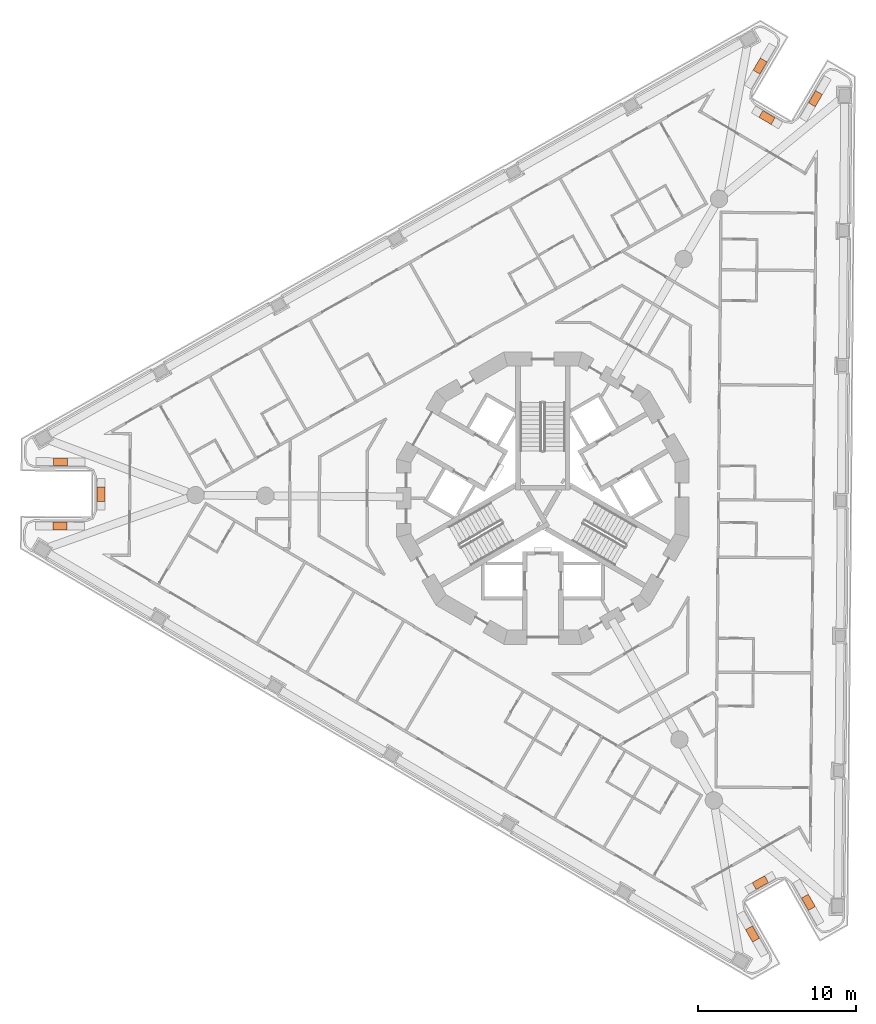
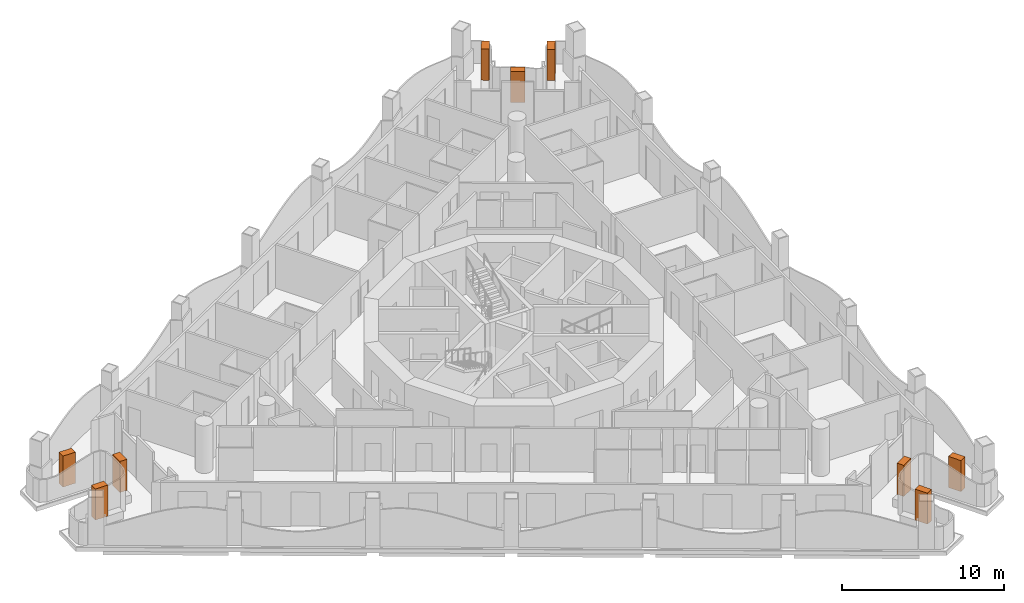
# One storey, part 17 of 17: 9 geographic elements.
"""IFC4 building model written with IfcOpenShell, lengths in metres."""

from ifc_helpers import new_model, si_unit, direction, frame, origin, origin_2d, place, context, subcontext, project, spatial, rectangle, extrude, element, save


model = new_model("IFC4")

# Units and contexts
model_context = context("Model", 3, precision=1e-05, world=origin(), true_north=direction((0.0, 1.0)))
body_context = subcontext(model_context, "Body", "Model", "MODEL_VIEW")
ifc_project = project(units=[si_unit("LENGTHUNIT", "METRE"), si_unit("AREAUNIT", "SQUARE_METRE"), si_unit("VOLUMEUNIT", "CUBIC_METRE"), si_unit("PLANEANGLEUNIT", "RADIAN"), si_unit("MASSUNIT", "GRAM", prefix="KILO")], contexts=[model_context])

# Site, building, storey
site_placement = place(None, origin())
site = spatial("IfcSite", under=ifc_project, at=site_placement, CompositionType="ELEMENT")
building_placement = place(site_placement, origin())
building = spatial("IfcBuilding", under=site, at=building_placement, Name="Trine Commons Tower", CompositionType="ELEMENT")
storey_placement = place(building_placement, frame((0.0, 0.0, 186.300048828125)))
storey = spatial("IfcBuildingStorey", under=building, at=storey_placement, Name="L48", CompositionType="ELEMENT", Elevation=186.300048828125)

# Geographic elements
for number, where, z_axis, x_axis, name in (
    (1, (49.3583984375, 60.727294921875, 0.599853515625), (0.0, 0.0, 1.0), (0.999961923064, -0.008726535498, 0.0), "Tree 1.1"),
    (2, (51.966064453125, 62.74462890625, 0.599853515625), (0.0, 0.0, 1.0), (0.008726535498, 0.999961923064, 0.0), "Tree 2.1"),
    (3, (49.393798828125, 64.80712890625, 0.599853515625), (0.0, 0.0, 1.0), (-0.999961923064, 0.008726535498, 0.0), "Tree 3.1"),
    (4, (93.78564453125, 89.9228515625, 0.599853515625), (0.0, 0.0, 1.0), (-0.507539866787, -0.861628274619, 0.0), "Tree 4.1"),
    (5, (94.228759765625, 86.65576171875, 0.599853515625), (0.0, 0.0, 1.0), (0.861628274619, -0.507539866787, 0.0), "Tree 5.1"),
    (6, (97.301025390625, 87.85205078125, 0.599853515625), (0.0, 0.0, 1.0), (0.507539866787, 0.861628274619, 0.0), "Tree 6.1"),
    (7, (96.85595703125, 36.849853515625, 0.599853515625), (0.0, 0.0, 1.0), (-0.492420521986, 0.870357414817, 0.0), "Tree 7.1"),
    (8, (93.80517578125, 38.099609375, 0.599853515625), (0.0, 0.0, 1.0), (-0.870333349571, -0.492463055085, 0.0), "Tree 8.1"),
    (9, (93.304931640625, 34.8408203125, 0.599853515625), (0.0, 0.0, 1.0), (0.492420521986, -0.870357414817, 0.0), "Tree 9.1"),
):
    element("IfcGeographicElement", number, at=place(storey_placement, frame(where, z_axis=z_axis, x_axis=x_axis)), inside=storey, Name=name, ObjectType="TREE Tabebuia rosea", PredefinedType="USERDEFINED", context=body_context, shape_type="SweptSolid", body=[
        extrude(rectangle(XDim=0.89990234375, YDim=0.5, at=origin_2d()), origin(), (0.0, 0.0, 1.0), 2.35009765625),
    ])

save(model, "model.ifc")
